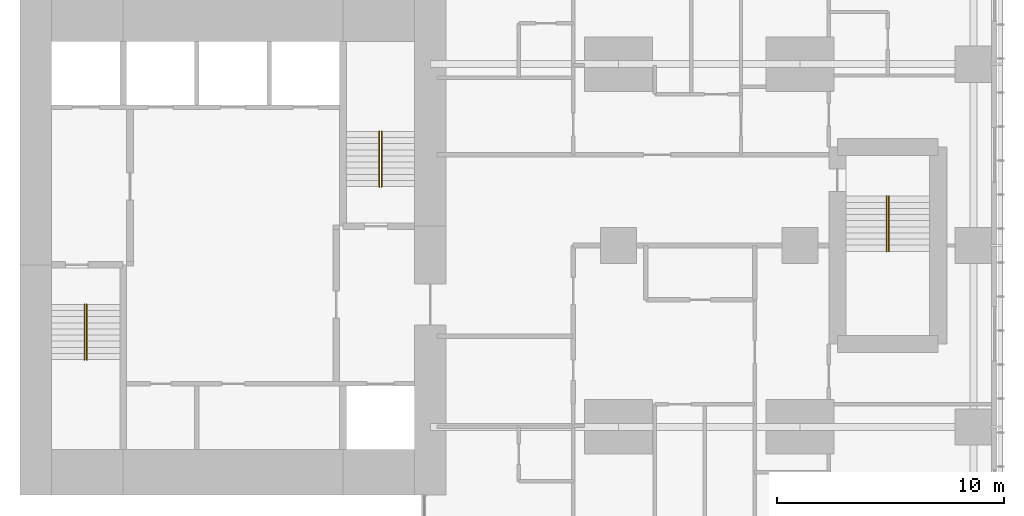
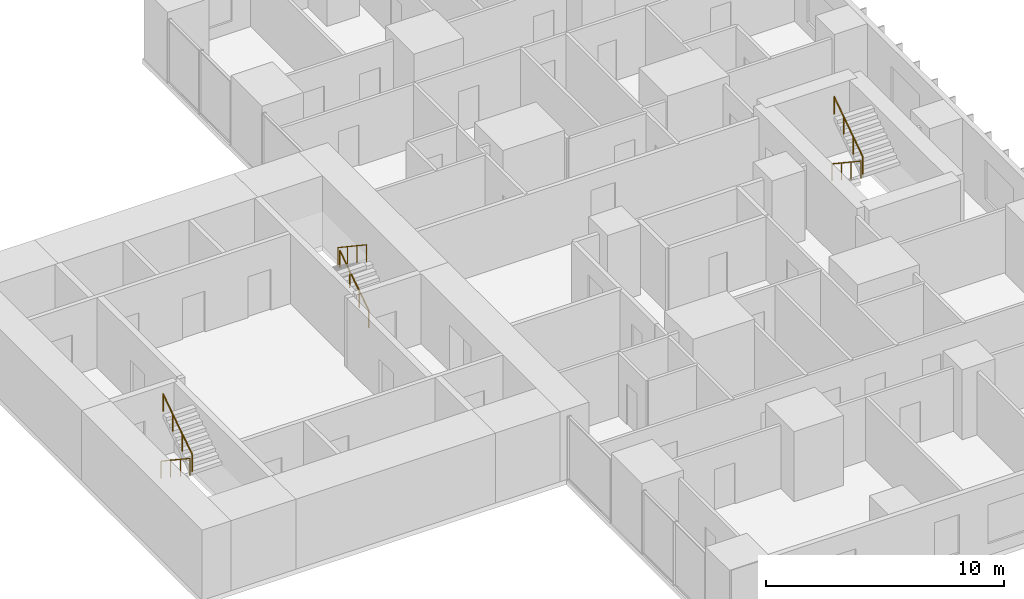
# One storey, part 12 of 12: 6 railings.
"""IFC4 building model written with IfcOpenShell, lengths in metres."""

from ifc_helpers import new_model, si_unit, direction, frame, origin, origin_2d, place, context, subcontext, project, spatial, circle, extrude, material, type_object, element, save


model = new_model("IFC4")

# Units and contexts
model_context = context("Model", 3, precision=1e-05, world=origin(), true_north=direction((0.0, 1.0)))
body_context = subcontext(model_context, "Body", "Model", "MODEL_VIEW")
ifc_project = project(units=[si_unit("LENGTHUNIT", "METRE"), si_unit("AREAUNIT", "SQUARE_METRE"), si_unit("VOLUMEUNIT", "CUBIC_METRE"), si_unit("PLANEANGLEUNIT", "RADIAN"), si_unit("MASSUNIT", "GRAM", prefix="KILO")], contexts=[model_context])

# Site, building, storey
site_placement = place(None, origin())
site = spatial("IfcSite", under=ifc_project, at=site_placement, CompositionType="ELEMENT")
building_placement = place(site_placement, origin())
building = spatial("IfcBuilding", under=site, at=building_placement, Name="Cleftline Residences", CompositionType="ELEMENT")
storey_placement = place(building_placement, frame((0.0, 0.0, 273.60009765625)))
storey = spatial("IfcBuildingStorey", under=building, at=storey_placement, Name="L72", CompositionType="ELEMENT", Elevation=273.60009765625)

# Railings
ifc_material = material(Name="Stainless steel", Category="steel")
railing_type = type_object("IfcRailingType", Name="HANDRAIL 900", PredefinedType="HANDRAIL", material=ifc_material)
railing_1_placement = place(storey_placement, frame((26.449951171875, 21.39990234375, 0.179931640625)))
element("IfcRailing", 1, at=railing_1_placement, inside=storey, type_object=railing_type, Name="Stair handrail", PredefinedType="HANDRAIL", context=body_context, shape_type="SweptSolid", body=[
    extrude(circle(Radius=0.02392578125, at=origin_2d()), frame((0.0, 0.0, 0.8759765625), z_axis=(0.0, -0.832063155534, 0.554680903946), x_axis=(1.0, 0.0, 0.0)), (0.0, 0.0, 1.0), 2.92041015625),
    extrude(circle(Radius=0.02099609375, at=origin_2d()), origin(), (0.0, 0.0, 1.0), 0.851806640625),
    extrude(circle(Radius=0.02099609375, at=origin_2d()), frame((0.0, -0.81005859375, 0.5400390625)), (0.0, 0.0, 1.0), 0.851806640625),
    extrude(circle(Radius=0.02099609375, at=origin_2d()), frame((0.0, -1.619873046875, 1.079833984375)), (0.0, 0.0, 1.0), 0.851806640625),
    extrude(circle(Radius=0.02099609375, at=origin_2d()), frame((0.0, -2.429931640625, 1.619873046875)), (0.0, 0.0, 1.0), 0.851806640625),
])
for number, where, name in (
    (2, (26.550048828125, 18.969970703125, 1.97998046875), "Stair handrail"),
    (3, (39.550048828125, 26.60009765625, 0.179931640625), "Stair handrail"),
):
    element("IfcRailing", number, at=place(storey_placement, frame(where)), inside=storey, type_object=railing_type, Name=name, PredefinedType="HANDRAIL", context=body_context, shape_type="SweptSolid", body=[
        extrude(circle(Radius=0.02392578125, at=origin_2d()), frame((0.0, 0.0, 0.8759765625), z_axis=(0.0, 0.832063155534, 0.554680903946), x_axis=(-1.0, 0.0, 0.0)), (0.0, 0.0, 1.0), 2.92041015625),
        extrude(circle(Radius=0.02099609375, at=origin_2d()), origin(), (0.0, 0.0, 1.0), 0.851806640625),
        extrude(circle(Radius=0.02099609375, at=origin_2d()), frame((0.0, 0.81005859375, 0.5400390625)), (0.0, 0.0, 1.0), 0.851806640625),
        extrude(circle(Radius=0.02099609375, at=origin_2d()), frame((0.0, 1.619873046875, 1.079833984375)), (0.0, 0.0, 1.0), 0.851806640625),
        extrude(circle(Radius=0.02099609375, at=origin_2d()), frame((0.0, 2.429931640625, 1.619873046875)), (0.0, 0.0, 1.0), 0.851806640625),
    ])
for number, where, name in (
    (4, (39.449951171875, 29.030029296875, 1.97998046875), "Stair handrail"),
    (5, (61.824951171875, 26.175048828125, 0.179931640625), "Stair handrail"),
):
    element("IfcRailing", number, at=place(storey_placement, frame(where)), inside=storey, type_object=railing_type, Name=name, PredefinedType="HANDRAIL", context=body_context, shape_type="SweptSolid", body=[
        extrude(circle(Radius=0.02392578125, at=origin_2d()), frame((0.0, 0.0, 0.8759765625), z_axis=(0.0, -0.832063155534, 0.554680903946), x_axis=(1.0, 0.0, 0.0)), (0.0, 0.0, 1.0), 2.92041015625),
        extrude(circle(Radius=0.02099609375, at=origin_2d()), origin(), (0.0, 0.0, 1.0), 0.851806640625),
        extrude(circle(Radius=0.02099609375, at=origin_2d()), frame((0.0, -0.81005859375, 0.5400390625)), (0.0, 0.0, 1.0), 0.851806640625),
        extrude(circle(Radius=0.02099609375, at=origin_2d()), frame((0.0, -1.619873046875, 1.079833984375)), (0.0, 0.0, 1.0), 0.851806640625),
        extrude(circle(Radius=0.02099609375, at=origin_2d()), frame((0.0, -2.429931640625, 1.619873046875)), (0.0, 0.0, 1.0), 0.851806640625),
    ])
railing_2_placement = place(storey_placement, frame((61.925048828125, 23.7451171875, 1.97998046875)))
element("IfcRailing", 6, at=railing_2_placement, inside=storey, type_object=railing_type, Name="Stair handrail", PredefinedType="HANDRAIL", context=body_context, shape_type="SweptSolid", body=[
    extrude(circle(Radius=0.02392578125, at=origin_2d()), frame((0.0, 0.0, 0.8759765625), z_axis=(0.0, 0.832063155534, 0.554680903946), x_axis=(-1.0, 0.0, 0.0)), (0.0, 0.0, 1.0), 2.92041015625),
    extrude(circle(Radius=0.02099609375, at=origin_2d()), origin(), (0.0, 0.0, 1.0), 0.851806640625),
    extrude(circle(Radius=0.02099609375, at=origin_2d()), frame((0.0, 0.81005859375, 0.5400390625)), (0.0, 0.0, 1.0), 0.851806640625),
    extrude(circle(Radius=0.02099609375, at=origin_2d()), frame((0.0, 1.619873046875, 1.079833984375)), (0.0, 0.0, 1.0), 0.851806640625),
    extrude(circle(Radius=0.02099609375, at=origin_2d()), frame((0.0, 2.429931640625, 1.619873046875)), (0.0, 0.0, 1.0), 0.851806640625),
])

save(model, "model.ifc")
